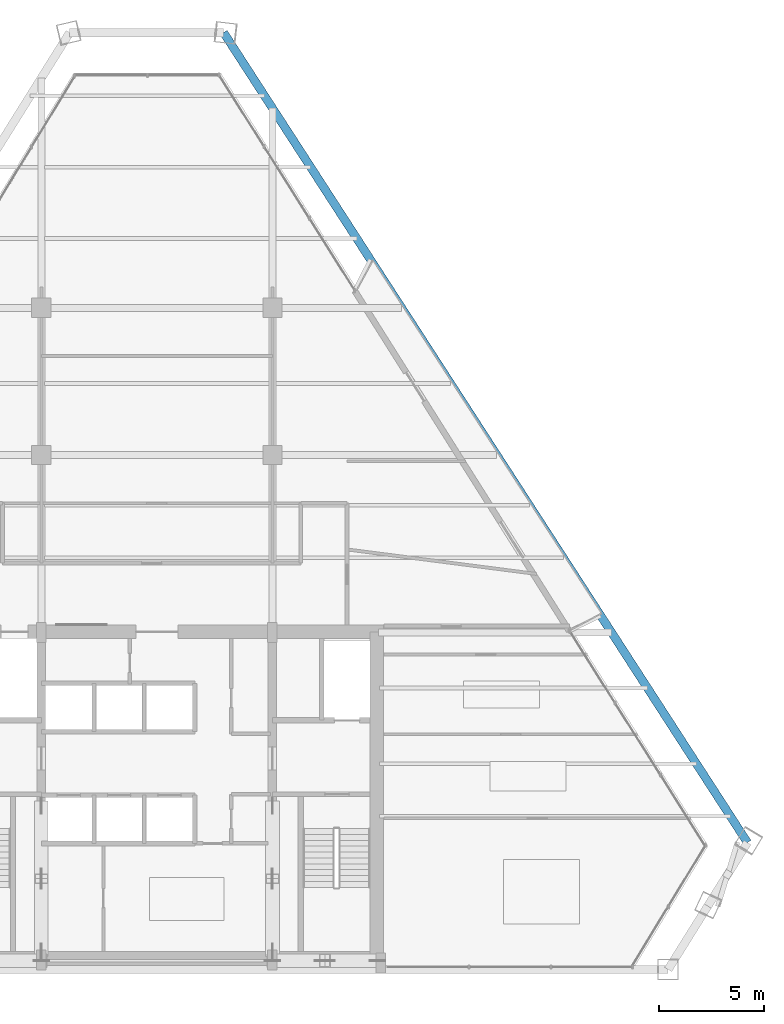
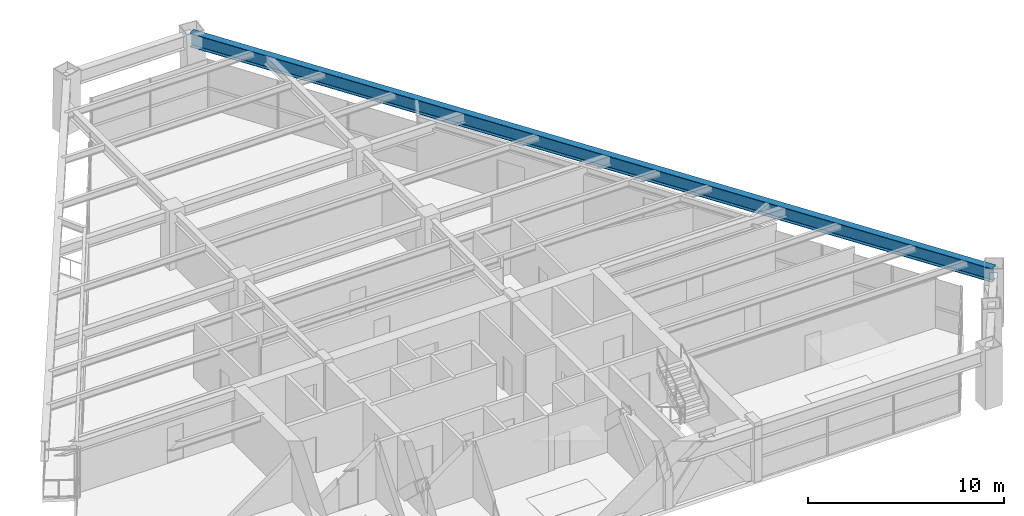
# One storey, part 5 of 13: 1 beam.
"""IFC4 building model written with IfcOpenShell, lengths in metres."""

from ifc_helpers import new_model, si_unit, direction, frame, origin, origin_2d, place, context, subcontext, project, spatial, i_section, extrude, source, transform, mapped, material, material_profile, profile_set, type_object, element, save


model = new_model("IFC4")

# Units and contexts
model_context = context("Model", 3, precision=1e-05, world=origin(), true_north=direction((0.0, 1.0)))
body_context = subcontext(model_context, "Body", "Model", "MODEL_VIEW")
ifc_project = project(units=[si_unit("LENGTHUNIT", "METRE"), si_unit("AREAUNIT", "SQUARE_METRE"), si_unit("VOLUMEUNIT", "CUBIC_METRE"), si_unit("PLANEANGLEUNIT", "RADIAN"), si_unit("MASSUNIT", "GRAM", prefix="KILO")], contexts=[model_context])

# Site, building, storey
site_placement = place(None, origin())
site = spatial("IfcSite", under=ifc_project, at=site_placement, CompositionType="ELEMENT")
building_placement = place(site_placement, origin())
building = spatial("IfcBuilding", under=site, at=building_placement, Name="Varnakhor Terracotta Tower", CompositionType="ELEMENT")
storey_placement = place(building_placement, frame((0.0, 0.0, 204.300048828125)))
storey = spatial("IfcBuildingStorey", under=building, at=storey_placement, Name="L52", CompositionType="ELEMENT", Elevation=204.300048828125)

# Beam
ifc_material = material(Name="Steel S355", Category="steel")
ifc_material_profile = material_profile(ifc_material, i_section(OverallWidth=0.39990234375, OverallDepth=0.85498046875, WebThickness=0.01806640625, FlangeThickness=0.029052734375, FilletRadius=0.01806640625, at=origin_2d()), Name="W33X201")
ifc_profile_set = profile_set([ifc_material_profile], Name="Steel S355")
beam_type = type_object("IfcBeamType", Name="BM-W33X201", PredefinedType="BEAM", material=ifc_profile_set)
shared_shape = source(origin(), body_context, "Body", "SweptSolid", [
    extrude(i_section(OverallWidth=0.39990234375, OverallDepth=0.85498046875, WebThickness=0.01806640625, FlangeThickness=0.029052734375, FilletRadius=0.01806640625, at=origin_2d()), origin(), (0.0, 0.0, 1.0), 45.927001953125),
])
beam_placement = place(storey_placement, frame((28.116455078125, 6.0419921875, 3.04248046875), z_axis=(-0.543033933014, 0.83971075234, 0.0), x_axis=(-0.83971075234, -0.543033933014, 0.0)))
element("IfcBeam", 1, at=beam_placement, inside=storey, type_object=beam_type, Name="L52 Perimeter Spandrel 4", PredefinedType="BEAM", context=body_context, shape_type="MappedRepresentation", body=[
    mapped(shared_shape, transform((0.0, 0.0, 0.0), scale=1.0)),
])

save(model, "model.ifc")
